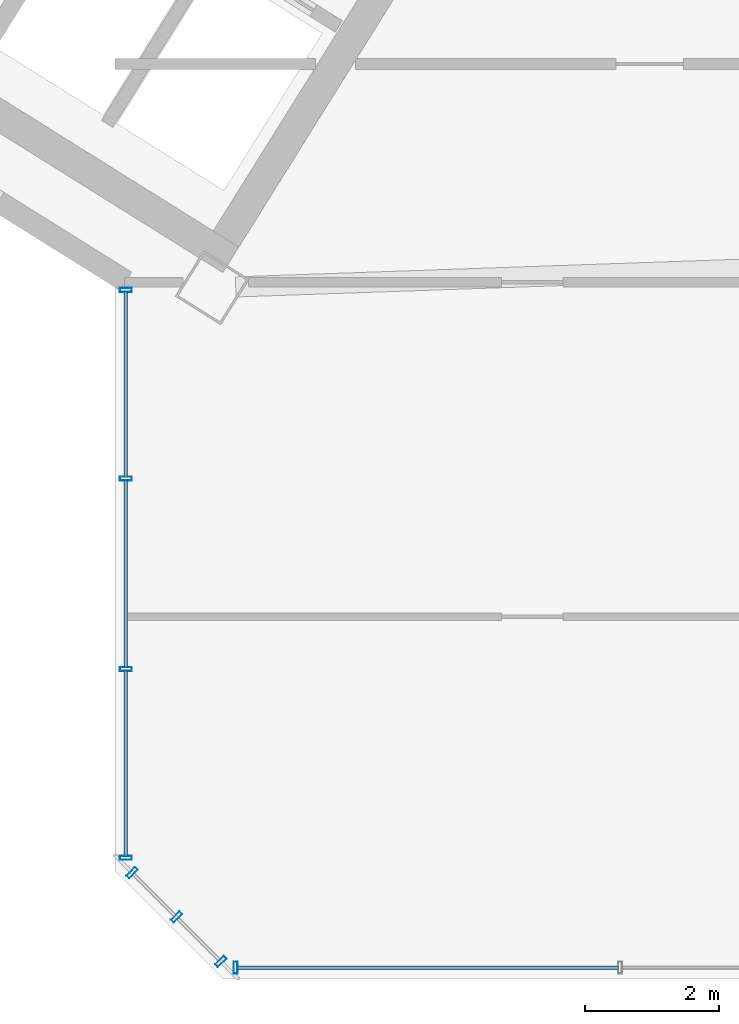
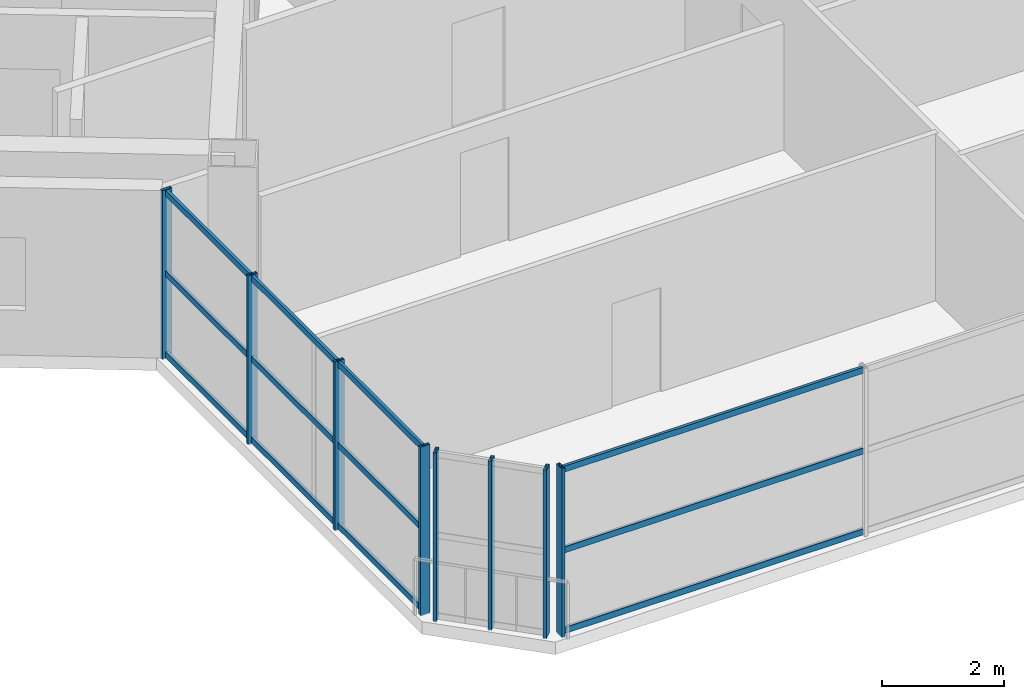
# One storey, part 4 of 20: 20 members, 3 elements without a shape of their own.
"""IFC4 building model written with IfcOpenShell, lengths in metres."""

from ifc_helpers import new_model, si_unit, direction, frame, origin, origin_2d, place, context, subcontext, project, spatial, hollow_rectangle, extrude, source, transform, mapped, material, material_profile, profile_set, type_object, element, aggregate, save


model = new_model("IFC4")

# Units and contexts
model_context = context("Model", 3, precision=1e-05, world=origin(), true_north=direction((0.0, 1.0)))
body_context = subcontext(model_context, "Body", "Model", "MODEL_VIEW")
ifc_project = project(units=[si_unit("LENGTHUNIT", "METRE"), si_unit("AREAUNIT", "SQUARE_METRE"), si_unit("VOLUMEUNIT", "CUBIC_METRE"), si_unit("PLANEANGLEUNIT", "RADIAN"), si_unit("MASSUNIT", "GRAM", prefix="KILO")], contexts=[model_context])

# Site, building, storey
site_placement = place(None, origin())
site = spatial("IfcSite", under=ifc_project, at=site_placement, CompositionType="ELEMENT")
building_placement = place(site_placement, origin())
building = spatial("IfcBuilding", under=site, at=building_placement, Name="Tlacorven Tower", CompositionType="ELEMENT")
storey_placement = place(building_placement, frame((0.0, 0.0, 211.199951171875)))
storey = spatial("IfcBuildingStorey", under=building, at=storey_placement, Name="L53", CompositionType="ELEMENT", Elevation=211.199951171875)

# Curtain wall, member
ifc_material_1 = material(Name="Dark solar low-E double glazing in aluminium frame", Category="aluminium")
curtain_wall_type = type_object("IfcCurtainWallType", Name="CW-TWR-HIGH", PredefinedType="USERDEFINED", material=ifc_material_1)
curtain_wall_1_placement = place(storey_placement, origin())
curtain_wall_1 = element("IfcCurtainWall", 1, at=curtain_wall_1_placement, inside=storey, type_object=curtain_wall_type, Name="L53 CW-TWR-HIGH Curtain Wall 241", ObjectType="UNITISED CURTAIN WALL", PredefinedType="USERDEFINED")
ifc_material_2 = material(Name="Aluminium 6063-T6 anodised", Category="aluminium")
ifc_material_profile_1 = material_profile(ifc_material_2, hollow_rectangle(XDim=0.06005859375, YDim=0.179931640625, WallThickness=0.00390625, at=origin_2d()), Name="ALU MULLION 60X180")
ifc_profile_set_1 = profile_set([ifc_material_profile_1], Name="Aluminium 6063-T6 anodised")
member_type_1 = type_object("IfcMemberType", Name="CWM-03", PredefinedType="MULLION", material=ifc_profile_set_1)
shared_shape_1 = source(origin(), body_context, "Body", "SweptSolid", [
    extrude(hollow_rectangle(XDim=0.06005859375, YDim=0.179931640625, WallThickness=0.00390625, at=origin_2d()), origin(), (0.0, 0.0, 1.0), 3.380126953125),
])
member_1_placement = place(storey_placement, frame((33.396240234375, 1.9599609375, -0.02001953125), z_axis=(0.0, 0.0, 1.0), x_axis=(-1.0, 0.0, 0.0)))
member_1 = element("IfcMember", 2, at=member_1_placement, type_object=member_type_1, Name="CW-L53-241 Mullion 4", PredefinedType="MULLION", context=body_context, shape_type="MappedRepresentation", body=[
    mapped(shared_shape_1, transform((0.0, 0.0, 0.0), scale=1.0)),
])

# Curtain wall, members
curtain_wall_2_placement = place(storey_placement, origin())
curtain_wall_2 = element("IfcCurtainWall", 3, at=curtain_wall_2_placement, inside=storey, type_object=curtain_wall_type, Name="L53 CW-TWR-HIGH Curtain Wall 242", ObjectType="UNITISED CURTAIN WALL", PredefinedType="USERDEFINED")
member_2_placement = place(storey_placement, frame((33.17431640625, 2.052001953125, -0.02001953125), z_axis=(0.0, 0.0, 1.0), x_axis=(-0.707106781187, 0.707106781187, 0.0)))
member_2 = element("IfcMember", 4, at=member_2_placement, type_object=member_type_1, Name="CW-L53-242 Mullion 1", PredefinedType="MULLION", context=body_context, shape_type="MappedRepresentation", body=[
    mapped(shared_shape_1, transform((0.0, 0.0, 0.0), scale=1.0)),
])
member_3_placement = place(storey_placement, frame((32.51318359375, 2.713134765625, -0.02001953125), z_axis=(0.0, 0.0, 1.0), x_axis=(-0.707106781187, 0.707106781187, 0.0)))
member_3 = element("IfcMember", 5, at=member_3_placement, type_object=member_type_1, Name="CW-L53-242 Mullion 2", PredefinedType="MULLION", context=body_context, shape_type="MappedRepresentation", body=[
    mapped(shared_shape_1, transform((0.0, 0.0, 0.0), scale=1.0)),
])
member_4_placement = place(storey_placement, frame((31.851806640625, 3.374267578125, -0.02001953125), z_axis=(0.0, 0.0, 1.0), x_axis=(-0.707106781187, 0.707106781187, 0.0)))
member_4 = element("IfcMember", 6, at=member_4_placement, type_object=member_type_1, Name="CW-L53-242 Mullion 3", PredefinedType="MULLION", context=body_context, shape_type="MappedRepresentation", body=[
    mapped(shared_shape_1, transform((0.0, 0.0, 0.0), scale=1.0)),
])
aggregate(curtain_wall_2, [member_2, member_3, member_4])

curtain_wall_3_placement = place(storey_placement, origin())
curtain_wall_3 = element("IfcCurtainWall", 7, at=curtain_wall_3_placement, inside=storey, type_object=curtain_wall_type, Name="L53 CW-TWR-HIGH Curtain Wall 243", ObjectType="UNITISED CURTAIN WALL", PredefinedType="USERDEFINED")
member_5_placement = place(storey_placement, frame((31.760009765625, 3.59619140625, -0.02001953125), z_axis=(0.0, 0.0, 1.0), x_axis=(0.0, 1.0, 0.0)))
member_5 = element("IfcMember", 8, at=member_5_placement, type_object=member_type_1, Name="CW-L53-243 Mullion 1", PredefinedType="MULLION", context=body_context, shape_type="MappedRepresentation", body=[
    mapped(shared_shape_1, transform((0.0, 0.0, 0.0), scale=1.0)),
])
member_6_placement = place(storey_placement, frame((31.760009765625, 6.4052734375, -0.02001953125), z_axis=(0.0, 0.0, 1.0), x_axis=(0.0, 1.0, 0.0)))
member_6 = element("IfcMember", 9, at=member_6_placement, type_object=member_type_1, Name="CW-L53-243 Mullion 2", PredefinedType="MULLION", context=body_context, shape_type="MappedRepresentation", body=[
    mapped(shared_shape_1, transform((0.0, 0.0, 0.0), scale=1.0)),
])
member_7_placement = place(storey_placement, frame((31.760009765625, 9.244140625, -0.02001953125), z_axis=(0.0, 0.0, 1.0), x_axis=(0.0, 1.0, 0.0)))
member_7 = element("IfcMember", 10, at=member_7_placement, type_object=member_type_1, Name="CW-L53-243 Mullion 3", PredefinedType="MULLION", context=body_context, shape_type="MappedRepresentation", body=[
    mapped(shared_shape_1, transform((0.0, 0.0, 0.0), scale=1.0)),
])
member_8_placement = place(storey_placement, frame((31.760009765625, 12.052978515625, -0.02001953125), z_axis=(0.0, 0.0, 1.0), x_axis=(0.0, 1.0, 0.0)))
member_8 = element("IfcMember", 11, at=member_8_placement, type_object=member_type_1, Name="CW-L53-243 Mullion 4", PredefinedType="MULLION", context=body_context, shape_type="MappedRepresentation", body=[
    mapped(shared_shape_1, transform((0.0, 0.0, 0.0), scale=1.0)),
])

# Member
ifc_material_profile_2 = material_profile(ifc_material_2, hollow_rectangle(XDim=0.054931640625, YDim=0.1201171875, WallThickness=0.00341796875, at=origin_2d()), Name="ALU TRANSOM 55X120")
ifc_profile_set_2 = profile_set([ifc_material_profile_2], Name="Aluminium 6063-T6 anodised")
member_type_2 = type_object("IfcMemberType", Name="CWT-03", PredefinedType="USERDEFINED", material=ifc_profile_set_2)
shared_shape_2 = source(origin(), body_context, "Body", "SweptSolid", [
    extrude(hollow_rectangle(XDim=0.054931640625, YDim=0.1201171875, WallThickness=0.00341796875, at=origin_2d()), origin(), (0.0, 0.0, 1.0), 5.689697265625),
])
member_9_placement = place(storey_placement, frame((39.10400390625, 1.9599609375, 0.06005859375), z_axis=(-1.0, 0.0, 0.0), x_axis=(0.0, -1.0, 0.0)))
member_9 = element("IfcMember", 12, at=member_9_placement, type_object=member_type_2, Name="CW-L53-241 Transom 7", ObjectType="TRANSOM", PredefinedType="USERDEFINED", context=body_context, shape_type="MappedRepresentation", body=[
    mapped(shared_shape_2, transform((0.0, 0.0, 0.0), scale=1.0)),
])

member_10_placement = place(storey_placement, frame((39.10400390625, 1.9599609375, 1.675048828125), z_axis=(-1.0, 0.0, 0.0), x_axis=(0.0, -1.0, 0.0)))
member_10 = element("IfcMember", 13, at=member_10_placement, type_object=member_type_2, Name="CW-L53-241 Transom 8", ObjectType="TRANSOM", PredefinedType="USERDEFINED", context=body_context, shape_type="MappedRepresentation", body=[
    mapped(shared_shape_2, transform((0.0, 0.0, 0.0), scale=1.0)),
])

member_11_placement = place(storey_placement, frame((39.10400390625, 1.9599609375, 3.2900390625), z_axis=(-1.0, 0.0, 0.0), x_axis=(0.0, -1.0, 0.0)))
member_11 = element("IfcMember", 14, at=member_11_placement, type_object=member_type_2, Name="CW-L53-241 Transom 9", ObjectType="TRANSOM", PredefinedType="USERDEFINED", context=body_context, shape_type="MappedRepresentation", body=[
    mapped(shared_shape_2, transform((0.0, 0.0, 0.0), scale=1.0)),
])

aggregate(curtain_wall_1, [member_1, member_9, member_10, member_11])

shared_shape_3 = source(origin(), body_context, "Body", "SweptSolid", [
    extrude(hollow_rectangle(XDim=0.054931640625, YDim=0.1201171875, WallThickness=0.00341796875, at=origin_2d()), origin(), (0.0, 0.0, 1.0), 2.77294921875),
])
member_12_placement = place(storey_placement, frame((31.760009765625, 3.6142578125, 0.06005859375), z_axis=(0.0, 1.0, 0.0), x_axis=(-1.0, 0.0, 0.0)))
member_12 = element("IfcMember", 15, at=member_12_placement, type_object=member_type_2, Name="CW-L53-243 Transom 1", ObjectType="TRANSOM", PredefinedType="USERDEFINED", context=body_context, shape_type="MappedRepresentation", body=[
    mapped(shared_shape_3, transform((0.0, 0.0, 0.0), scale=1.0)),
])

member_13_placement = place(storey_placement, frame((31.760009765625, 3.6142578125, 1.675048828125), z_axis=(0.0, 1.0, 0.0), x_axis=(-1.0, 0.0, 0.0)))
member_13 = element("IfcMember", 16, at=member_13_placement, type_object=member_type_2, Name="CW-L53-243 Transom 2", ObjectType="TRANSOM", PredefinedType="USERDEFINED", context=body_context, shape_type="MappedRepresentation", body=[
    mapped(shared_shape_3, transform((0.0, 0.0, 0.0), scale=1.0)),
])

member_14_placement = place(storey_placement, frame((31.760009765625, 3.6142578125, 3.2900390625), z_axis=(0.0, 1.0, 0.0), x_axis=(-1.0, 0.0, 0.0)))
member_14 = element("IfcMember", 17, at=member_14_placement, type_object=member_type_2, Name="CW-L53-243 Transom 3", ObjectType="TRANSOM", PredefinedType="USERDEFINED", context=body_context, shape_type="MappedRepresentation", body=[
    mapped(shared_shape_3, transform((0.0, 0.0, 0.0), scale=1.0)),
])

member_15_placement = place(storey_placement, frame((31.760009765625, 9.26220703125, 0.06005859375), z_axis=(0.0, 1.0, 0.0), x_axis=(-1.0, 0.0, 0.0)))
member_15 = element("IfcMember", 18, at=member_15_placement, type_object=member_type_2, Name="CW-L53-243 Transom 7", ObjectType="TRANSOM", PredefinedType="USERDEFINED", context=body_context, shape_type="MappedRepresentation", body=[
    mapped(shared_shape_3, transform((0.0, 0.0, 0.0), scale=1.0)),
])

member_16_placement = place(storey_placement, frame((31.760009765625, 9.26220703125, 1.675048828125), z_axis=(0.0, 1.0, 0.0), x_axis=(-1.0, 0.0, 0.0)))
member_16 = element("IfcMember", 19, at=member_16_placement, type_object=member_type_2, Name="CW-L53-243 Transom 8", ObjectType="TRANSOM", PredefinedType="USERDEFINED", context=body_context, shape_type="MappedRepresentation", body=[
    mapped(shared_shape_3, transform((0.0, 0.0, 0.0), scale=1.0)),
])

member_17_placement = place(storey_placement, frame((31.760009765625, 9.26220703125, 3.2900390625), z_axis=(0.0, 1.0, 0.0), x_axis=(-1.0, 0.0, 0.0)))
member_17 = element("IfcMember", 20, at=member_17_placement, type_object=member_type_2, Name="CW-L53-243 Transom 9", ObjectType="TRANSOM", PredefinedType="USERDEFINED", context=body_context, shape_type="MappedRepresentation", body=[
    mapped(shared_shape_3, transform((0.0, 0.0, 0.0), scale=1.0)),
])

shared_shape_4 = source(origin(), body_context, "Body", "SweptSolid", [
    extrude(hollow_rectangle(XDim=0.054931640625, YDim=0.1201171875, WallThickness=0.00341796875, at=origin_2d()), origin(), (0.0, 0.0, 1.0), 2.802978515625),
])
member_18_placement = place(storey_placement, frame((31.760009765625, 6.423095703125, 0.06005859375), z_axis=(0.0, 1.0, 0.0), x_axis=(-1.0, 0.0, 0.0)))
member_18 = element("IfcMember", 21, at=member_18_placement, type_object=member_type_2, Name="CW-L53-243 Transom 4", ObjectType="TRANSOM", PredefinedType="USERDEFINED", context=body_context, shape_type="MappedRepresentation", body=[
    mapped(shared_shape_4, transform((0.0, 0.0, 0.0), scale=1.0)),
])

member_19_placement = place(storey_placement, frame((31.760009765625, 6.423095703125, 1.675048828125), z_axis=(0.0, 1.0, 0.0), x_axis=(-1.0, 0.0, 0.0)))
member_19 = element("IfcMember", 22, at=member_19_placement, type_object=member_type_2, Name="CW-L53-243 Transom 5", ObjectType="TRANSOM", PredefinedType="USERDEFINED", context=body_context, shape_type="MappedRepresentation", body=[
    mapped(shared_shape_4, transform((0.0, 0.0, 0.0), scale=1.0)),
])

member_20_placement = place(storey_placement, frame((31.760009765625, 6.423095703125, 3.2900390625), z_axis=(0.0, 1.0, 0.0), x_axis=(-1.0, 0.0, 0.0)))
member_20 = element("IfcMember", 23, at=member_20_placement, type_object=member_type_2, Name="CW-L53-243 Transom 6", ObjectType="TRANSOM", PredefinedType="USERDEFINED", context=body_context, shape_type="MappedRepresentation", body=[
    mapped(shared_shape_4, transform((0.0, 0.0, 0.0), scale=1.0)),
])

aggregate(curtain_wall_3, [member_5, member_6, member_7, member_8, member_12, member_13, member_14, member_18, member_19, member_20, member_15, member_16, member_17])

save(model, "model.ifc")
